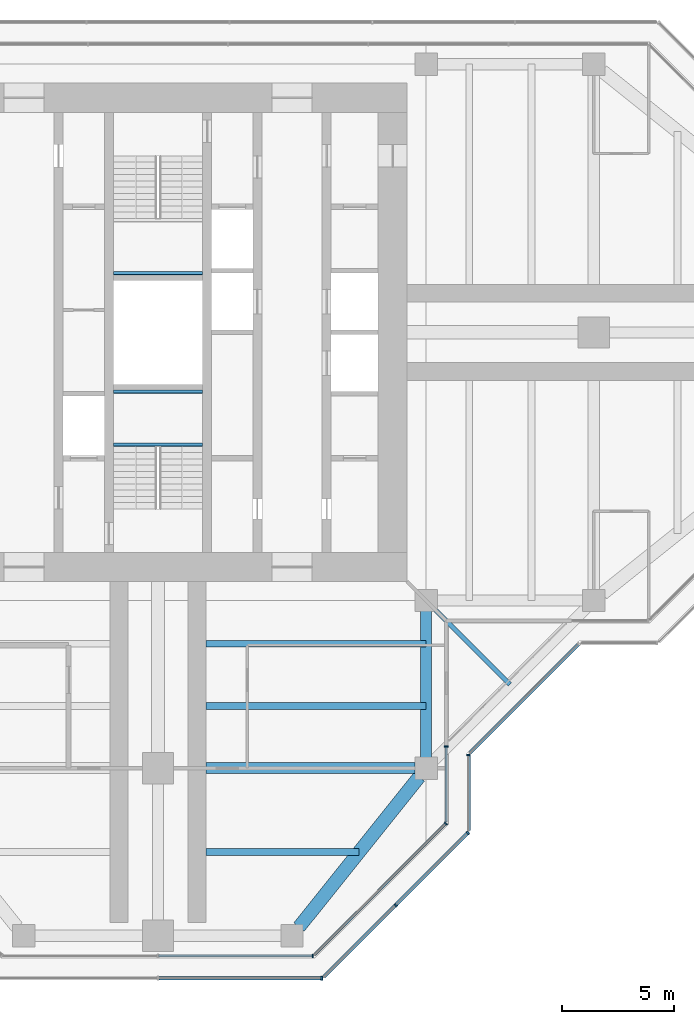
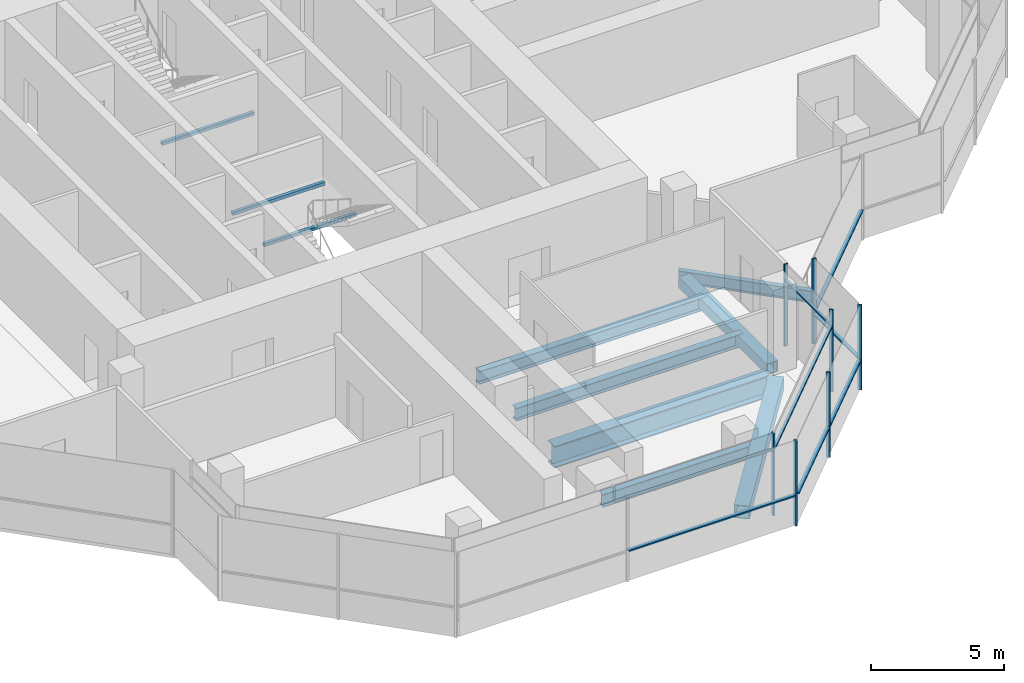
# One storey, part 4 of 15: 15 members, 10 beams, 7 elements without a shape of their own.
"""IFC4 building model written with IfcOpenShell, lengths in metres."""

from ifc_helpers import new_model, si_unit, direction, frame, origin, origin_2d, place, context, subcontext, project, spatial, rectangle, hollow_rectangle, i_section, extrude, material, material_profile, profile_set, type_object, element, aggregate, save


model = new_model("IFC4")

# Units and contexts
model_context = context("Model", 3, precision=1e-05, world=origin(), true_north=direction((0.0, 1.0)))
body_context = subcontext(model_context, "Body", "Model", "MODEL_VIEW")
ifc_project = project(units=[si_unit("LENGTHUNIT", "METRE"), si_unit("AREAUNIT", "SQUARE_METRE"), si_unit("VOLUMEUNIT", "CUBIC_METRE"), si_unit("PLANEANGLEUNIT", "RADIAN"), si_unit("MASSUNIT", "GRAM", prefix="KILO")], contexts=[model_context])

# Site, building, storey
site_placement = place(None, origin())
site = spatial("IfcSite", under=ifc_project, at=site_placement, CompositionType="ELEMENT")
building_placement = place(site_placement, origin())
building = spatial("IfcBuilding", under=site, at=building_placement, Name="Mizan Broadcast Tower", CompositionType="ELEMENT")
storey_placement = place(building_placement, frame((0.0, 0.0, 286.800048828125)))
storey = spatial("IfcBuildingStorey", under=building, at=storey_placement, Name="L68", CompositionType="ELEMENT", Elevation=286.800048828125)

# Beams
ifc_material_1 = material(Name="Steel S355", Category="steel")
ifc_material_profile_1 = material_profile(ifc_material_1, hollow_rectangle(XDim=0.5, YDim=0.5, WallThickness=0.030029296875, at=origin_2d()), Name="BOX 500x500x30")
ifc_profile_set_1 = profile_set([ifc_material_profile_1], Name="Steel S355")
beam_type_1 = type_object("IfcBeamType", Name="EDGE BEAM BOX 500x500x30", PredefinedType="SPANDREL", material=ifc_profile_set_1)
beam_1_placement = place(storey_placement, frame((12.0, -12.449951171875, -0.380126953125), z_axis=(0.0, -1.0, 0.0), x_axis=(1.0, 0.0, 0.0)))
element("IfcBeam", 1, at=beam_1_placement, inside=storey, type_object=beam_type_1, Name="Edge beam BOX 500x500x30 L68 south arm", PredefinedType="SPANDREL", context=body_context, shape_type="SweptSolid", body=[
    extrude(hollow_rectangle(XDim=0.5, YDim=0.5, WallThickness=0.030029296875, at=origin_2d()), origin(), (0.0, 0.0, 1.0), 6.60009765625),
])
ifc_material_2 = material(Name="Steel S355", Category="steel")
ifc_material_profile_2 = material_profile(ifc_material_2, hollow_rectangle(XDim=0.60009765625, YDim=0.60009765625, WallThickness=0.030029296875, at=origin_2d()), Name="BOX 600x600x30")
ifc_profile_set_2 = profile_set([ifc_material_profile_2], Name="Steel S355")
beam_type_2 = type_object("IfcBeamType", Name="EDGE BEAM BOX 600x600x30", PredefinedType="SPANDREL", material=ifc_profile_set_2)
beam_2_placement = place(storey_placement, frame((11.687744140625, -19.890380859375, -0.429931640625), z_axis=(-0.62470196761, -0.780863273348, 0.0), x_axis=(0.780863273348, -0.62470196761, 0.0)))
element("IfcBeam", 2, at=beam_2_placement, inside=storey, type_object=beam_type_2, Name="Edge beam BOX 600x600x30 L68 south arm", PredefinedType="SPANDREL", context=body_context, shape_type="SweptSolid", body=[
    extrude(hollow_rectangle(XDim=0.60009765625, YDim=0.60009765625, WallThickness=0.030029296875, at=origin_2d()), origin(), (0.0, 0.0, 1.0), 8.60498046875),
])
ifc_material_3 = material(Name="Steel S460", Category="steel")
ifc_material_profile_3 = material_profile(ifc_material_3, i_section(OverallWidth=0.5, OverallDepth=1.0, WebThickness=0.02490234375, FlangeThickness=0.050048828125, at=origin_2d()), Name="WPG 1000x500")
ifc_profile_set_3 = profile_set([ifc_material_profile_3], Name="Steel S460")
beam_type_3 = type_object("IfcBeamType", Name="GIRDER WPG 1000x500", PredefinedType="BEAM", material=ifc_profile_set_3)
beam_3_placement = place(storey_placement, frame((11.5, -19.5, -0.630126953125), z_axis=(-1.0, 0.0, 0.0), x_axis=(0.0, -1.0, 0.0)))
element("IfcBeam", 3, at=beam_3_placement, inside=storey, type_object=beam_type_3, Name="Girder WPG 1000x500 L68 south arm", PredefinedType="BEAM", context=body_context, shape_type="SweptSolid", body=[
    extrude(i_section(OverallWidth=0.5, OverallDepth=1.0, WebThickness=0.02490234375, FlangeThickness=0.050048828125, at=origin_2d()), origin(), (0.0, 0.0, 1.0), 9.35009765625),
])

# Curtain wall, member
ifc_material_4 = material(Name="Aluminium framed glazing", Category="aluminium")
curtain_wall_type_1 = type_object("IfcCurtainWallType", Name="INNER SKIN TOP ZONE", PredefinedType="USERDEFINED", material=ifc_material_4)
curtain_wall_1_placement = place(storey_placement, origin())
curtain_wall_1 = element("IfcCurtainWall", 4, at=curtain_wall_1_placement, inside=storey, type_object=curtain_wall_type_1, Name="Inner skin top zone L68 S end", ObjectType="INNER SKIN TOP ZONE", PredefinedType="USERDEFINED")
ifc_material_5 = material(Name="Aluminium, pale anodised", Category="aluminium")
ifc_material_profile_4 = material_profile(ifc_material_5, rectangle(XDim=0.159912109375, YDim=0.06005859375, at=origin_2d()), Name="MULLION 160x60")
ifc_profile_set_4 = profile_set([ifc_material_profile_4], Name="Aluminium, pale anodised")
member_type_1 = type_object("IfcMemberType", Name="INNER SKIN MULLION 60x160", PredefinedType="MULLION", material=ifc_profile_set_4)
member_1_placement = place(storey_placement, frame((6.928466796875, -27.89990234375, 0.0), z_axis=(0.0, 0.0, 1.0), x_axis=(0.0, 1.0, 0.0)))
member_1 = element("IfcMember", 5, at=member_1_placement, type_object=member_type_1, Name="Inner skin top zone L68 S end mullion 3", PredefinedType="MULLION", context=body_context, shape_type="SweptSolid", body=[
    extrude(rectangle(XDim=0.159912109375, YDim=0.06005859375, at=origin_2d()), origin(), (0.0, 0.0, 1.0), 3.77001953125),
])

curtain_wall_2_placement = place(storey_placement, origin())
curtain_wall_2 = element("IfcCurtainWall", 6, at=curtain_wall_2_placement, inside=storey, type_object=curtain_wall_type_1, Name="Inner skin top zone L68 S chamfer", ObjectType="INNER SKIN TOP ZONE", PredefinedType="USERDEFINED")
member_2_placement = place(storey_placement, frame((12.87890625, -21.979736328125, 0.0), z_axis=(0.0, 0.0, 1.0), x_axis=(-0.707106781187, 0.707106781187, 0.0)))
member_2 = element("IfcMember", 7, at=member_2_placement, type_object=member_type_1, Name="Inner skin top zone L68 S chamfer mullion 2", PredefinedType="MULLION", context=body_context, shape_type="SweptSolid", body=[
    extrude(rectangle(XDim=0.159912109375, YDim=0.06005859375, at=origin_2d()), origin(), (0.0, 0.0, 1.0), 3.77001953125),
])

curtain_wall_3_placement = place(storey_placement, origin())
curtain_wall_3 = element("IfcCurtainWall", 8, at=curtain_wall_3_placement, inside=storey, type_object=curtain_wall_type_1, Name="Inner skin top zone L68 S side", ObjectType="INNER SKIN TOP ZONE", PredefinedType="USERDEFINED")
member_3_placement = place(storey_placement, frame((12.89990234375, -18.530029296875, 0.0), z_axis=(0.0, 0.0, 1.0), x_axis=(-1.0, 0.0, 0.0)))
member_3 = element("IfcMember", 9, at=member_3_placement, type_object=member_type_1, Name="Inner skin top zone L68 S side mullion 2", PredefinedType="MULLION", context=body_context, shape_type="SweptSolid", body=[
    extrude(rectangle(XDim=0.159912109375, YDim=0.06005859375, at=origin_2d()), origin(), (0.0, 0.0, 1.0), 3.77001953125),
])

# Member
ifc_material_6 = material(Name="Aluminium, pale anodised", Category="aluminium")
ifc_material_profile_5 = material_profile(ifc_material_6, rectangle(XDim=0.1201171875, YDim=0.06005859375, at=origin_2d()), Name="TRANSOM 120x60")
ifc_profile_set_5 = profile_set([ifc_material_profile_5], Name="Aluminium, pale anodised")
member_type_2 = type_object("IfcMemberType", Name="INNER SKIN TRANSOM 60x120", PredefinedType="USERDEFINED", material=ifc_profile_set_5)
member_4_placement = place(storey_placement, frame((0.030029296875, -27.89990234375, 3.030029296875), z_axis=(1.0, 0.0, 0.0), x_axis=(0.0, 1.0, 0.0)))
member_4 = element("IfcMember", 10, at=member_4_placement, type_object=member_type_2, Name="Inner skin top zone L68 S end transom 2.1", ObjectType="TRANSOM", PredefinedType="USERDEFINED", context=body_context, shape_type="SweptSolid", body=[
    extrude(rectangle(XDim=0.1201171875, YDim=0.06005859375, at=origin_2d()), origin(), (0.0, 0.0, 1.0), 6.86865234375),
])

aggregate(curtain_wall_1, [member_1, member_4])

member_5_placement = place(storey_placement, frame((7.0009765625, -27.857666015625, 3.030029296875), z_axis=(0.707106781187, 0.707106781187, 0.0), x_axis=(-0.707106781187, 0.707106781187, 0.0)))
member_5 = element("IfcMember", 11, at=member_5_placement, type_object=member_type_2, Name="Inner skin top zone L68 S chamfer transom 1.1", ObjectType="TRANSOM", PredefinedType="USERDEFINED", context=body_context, shape_type="SweptSolid", body=[
    extrude(rectangle(XDim=0.1201171875, YDim=0.06005859375, at=origin_2d()), origin(), (0.0, 0.0, 1.0), 8.28271484375),
])

aggregate(curtain_wall_2, [member_2, member_5])

member_6_placement = place(storey_placement, frame((12.89990234375, -21.898681640625, 3.030029296875), z_axis=(0.0, 1.0, 0.0), x_axis=(-1.0, 0.0, 0.0)))
member_6 = element("IfcMember", 12, at=member_6_placement, type_object=member_type_2, Name="Inner skin top zone L68 S side transom 1.1", ObjectType="TRANSOM", PredefinedType="USERDEFINED", context=body_context, shape_type="SweptSolid", body=[
    extrude(rectangle(XDim=0.1201171875, YDim=0.06005859375, at=origin_2d()), origin(), (0.0, 0.0, 1.0), 3.338623046875),
])

aggregate(curtain_wall_3, [member_3, member_6])

# Beams
ifc_material_7 = material(Name="Steel S355", Category="steel")
ifc_material_profile_6 = material_profile(ifc_material_7, hollow_rectangle(XDim=0.14990234375, YDim=0.14990234375, WallThickness=0.008056640625, InnerFilletRadius=0.008056640625, OuterFilletRadius=0.011962890625, at=origin_2d()), Name="SHS 150x150x8")
ifc_profile_set_6 = profile_set([ifc_material_profile_6], Name="Steel S355")
beam_type_4 = type_object("IfcBeamType", Name="LANDING TRIMMER SHS 150x150x8", PredefinedType="BEAM", material=ifc_profile_set_6)
for number, where, z_axis, x_axis, name in (
    (13, (-2.0, -5.02490234375, 1.675048828125), (1.0, 0.0, 0.0), (0.0, 1.0, 0.0), "Stair A landing trimmer L68"),
    (14, (-2.0, -2.64990234375, 1.675048828125), (1.0, 0.0, 0.0), (0.0, 1.0, 0.0), "Stair A landing trimmer L68"),
    (15, (2.0, 2.64990234375, 1.675048828125), (-1.0, 0.0, 0.0), (0.0, -1.0, 0.0), "Stair B landing trimmer L68"),
):
    element("IfcBeam", number, at=place(storey_placement, frame(where, z_axis=z_axis, x_axis=x_axis)), inside=storey, type_object=beam_type_4, Name=name, PredefinedType="BEAM", context=body_context, shape_type="SweptSolid", body=[
        extrude(hollow_rectangle(XDim=0.14990234375, YDim=0.14990234375, WallThickness=0.008056640625, InnerFilletRadius=0.008056640625, OuterFilletRadius=0.011962890625, at=origin_2d()), origin(), (0.0, 0.0, 1.0), 4.0),
    ])

# Curtain wall, member
ifc_material_8 = material(Name="Aluminium framed glazing", Category="aluminium")
curtain_wall_type_2 = type_object("IfcCurtainWallType", Name="OUTER SKIN", PredefinedType="USERDEFINED", material=ifc_material_8)
curtain_wall_4_placement = place(storey_placement, origin())
curtain_wall_4 = element("IfcCurtainWall", 16, at=curtain_wall_4_placement, inside=storey, type_object=curtain_wall_type_2, Name="Outer skin L68 S end", ObjectType="OUTER SKIN", PredefinedType="USERDEFINED")
ifc_material_9 = material(Name="Aluminium, pale anodised", Category="aluminium")
ifc_material_profile_7 = material_profile(ifc_material_9, rectangle(XDim=0.159912109375, YDim=0.080078125, at=origin_2d()), Name="MULLION 160x80")
ifc_profile_set_7 = profile_set([ifc_material_profile_7], Name="Aluminium, pale anodised")
member_type_3 = type_object("IfcMemberType", Name="OUTER SKIN MULLION 80x160", PredefinedType="MULLION", material=ifc_profile_set_7)
member_7_placement = place(storey_placement, frame((7.332763671875, -28.89990234375, 0.0), z_axis=(0.0, 0.0, 1.0), x_axis=(0.0, 1.0, 0.0)))
member_7 = element("IfcMember", 17, at=member_7_placement, type_object=member_type_3, Name="Outer skin L68 S end mullion 3", PredefinedType="MULLION", context=body_context, shape_type="SweptSolid", body=[
    extrude(rectangle(XDim=0.159912109375, YDim=0.080078125, at=origin_2d()), origin(), (0.0, 0.0, 1.0), 3.89990234375),
])

# Curtain wall, members
curtain_wall_5_placement = place(storey_placement, origin())
curtain_wall_5 = element("IfcCurtainWall", 18, at=curtain_wall_5_placement, inside=storey, type_object=curtain_wall_type_2, Name="Outer skin L68 S chamfer", ObjectType="OUTER SKIN", PredefinedType="USERDEFINED")
member_8_placement = place(storey_placement, frame((10.636474609375, -25.636474609375, 0.0), z_axis=(0.0, 0.0, 1.0), x_axis=(-0.707106781187, 0.707106781187, 0.0)))
member_8 = element("IfcMember", 19, at=member_8_placement, type_object=member_type_3, Name="Outer skin L68 S chamfer mullion 2", PredefinedType="MULLION", context=body_context, shape_type="SweptSolid", body=[
    extrude(rectangle(XDim=0.159912109375, YDim=0.080078125, at=origin_2d()), origin(), (0.0, 0.0, 1.0), 3.89990234375),
])
member_9_placement = place(storey_placement, frame((13.871826171875, -22.401123046875, 0.0), z_axis=(0.0, 0.0, 1.0), x_axis=(-0.707106781187, 0.707106781187, 0.0)))
member_9 = element("IfcMember", 20, at=member_9_placement, type_object=member_type_3, Name="Outer skin L68 S chamfer mullion 3", PredefinedType="MULLION", context=body_context, shape_type="SweptSolid", body=[
    extrude(rectangle(XDim=0.159912109375, YDim=0.080078125, at=origin_2d()), origin(), (0.0, 0.0, 1.0), 3.89990234375),
])

# Curtain wall, member
curtain_wall_6_placement = place(storey_placement, origin())
curtain_wall_6 = element("IfcCurtainWall", 21, at=curtain_wall_6_placement, inside=storey, type_object=curtain_wall_type_2, Name="Outer skin L68 S side", ObjectType="OUTER SKIN", PredefinedType="USERDEFINED")
member_10_placement = place(storey_placement, frame((13.89990234375, -18.912841796875, 0.0), z_axis=(0.0, 0.0, 1.0), x_axis=(-1.0, 0.0, 0.0)))
member_10 = element("IfcMember", 22, at=member_10_placement, type_object=member_type_3, Name="Outer skin L68 S side mullion 2", PredefinedType="MULLION", context=body_context, shape_type="SweptSolid", body=[
    extrude(rectangle(XDim=0.159912109375, YDim=0.080078125, at=origin_2d()), origin(), (0.0, 0.0, 1.0), 3.89990234375),
])

# Member
ifc_material_10 = material(Name="Aluminium, pale anodised", Category="aluminium")
ifc_material_profile_8 = material_profile(ifc_material_10, rectangle(XDim=0.159912109375, YDim=0.06005859375, at=origin_2d()), Name="TRANSOM 160x60")
ifc_profile_set_8 = profile_set([ifc_material_profile_8], Name="Aluminium, pale anodised")
member_type_4 = type_object("IfcMemberType", Name="OUTER SKIN TRANSOM 60x160", PredefinedType="USERDEFINED", material=ifc_profile_set_8)
member_11_placement = place(storey_placement, frame((0.0400390625, -28.89990234375, 1.39990234375), z_axis=(1.0, 0.0, 0.0), x_axis=(0.0, 1.0, 0.0)))
member_11 = element("IfcMember", 23, at=member_11_placement, type_object=member_type_4, Name="Outer skin L68 S end transom 2.1", ObjectType="TRANSOM", PredefinedType="USERDEFINED", context=body_context, shape_type="SweptSolid", body=[
    extrude(rectangle(XDim=0.159912109375, YDim=0.06005859375, at=origin_2d()), origin(), (0.0, 0.0, 1.0), 7.252685546875),
])

aggregate(curtain_wall_4, [member_7, member_11])

member_12_placement = place(storey_placement, frame((7.429443359375, -28.843505859375, 1.39990234375), z_axis=(0.707106781187, 0.707106781187, 0.0), x_axis=(-0.707106781187, 0.707106781187, 0.0)))
member_12 = element("IfcMember", 24, at=member_12_placement, type_object=member_type_4, Name="Outer skin L68 S chamfer transom 1.1", ObjectType="TRANSOM", PredefinedType="USERDEFINED", context=body_context, shape_type="SweptSolid", body=[
    extrude(rectangle(XDim=0.159912109375, YDim=0.06005859375, at=origin_2d()), origin(), (0.0, 0.0, 1.0), 4.495361328125),
])

member_13_placement = place(storey_placement, frame((10.664794921875, -25.608154296875, 1.39990234375), z_axis=(0.707106781187, 0.707106781187, 0.0), x_axis=(-0.707106781187, 0.707106781187, 0.0)))
member_13 = element("IfcMember", 25, at=member_13_placement, type_object=member_type_4, Name="Outer skin L68 S chamfer transom 2.1", ObjectType="TRANSOM", PredefinedType="USERDEFINED", context=body_context, shape_type="SweptSolid", body=[
    extrude(rectangle(XDim=0.159912109375, YDim=0.06005859375, at=origin_2d()), origin(), (0.0, 0.0, 1.0), 4.495361328125),
])

aggregate(curtain_wall_5, [member_8, member_9, member_12, member_13])

member_14_placement = place(storey_placement, frame((13.89990234375, -22.292724609375, 1.39990234375), z_axis=(0.0, 1.0, 0.0), x_axis=(-1.0, 0.0, 0.0)))
member_14 = element("IfcMember", 26, at=member_14_placement, type_object=member_type_4, Name="Outer skin L68 S side transom 1.1", ObjectType="TRANSOM", PredefinedType="USERDEFINED", context=body_context, shape_type="SweptSolid", body=[
    extrude(rectangle(XDim=0.159912109375, YDim=0.06005859375, at=origin_2d()), origin(), (0.0, 0.0, 1.0), 3.33984375),
])

aggregate(curtain_wall_6, [member_10, member_14])

# Curtain wall, member
curtain_wall_7_placement = place(storey_placement, origin())
curtain_wall_7 = element("IfcCurtainWall", 27, at=curtain_wall_7_placement, inside=storey, type_object=curtain_wall_type_2, Name="Outer skin L68 E chamfer", ObjectType="OUTER SKIN", PredefinedType="USERDEFINED")
member_15_placement = place(storey_placement, frame((13.95654296875, -18.816162109375, 1.39990234375), z_axis=(0.707106781187, 0.707106781187, 0.0), x_axis=(-0.707106781187, 0.707106781187, 0.0)))
member_15 = element("IfcMember", 28, at=member_15_placement, type_object=member_type_4, Name="Outer skin L68 E chamfer transom 1.1", ObjectType="TRANSOM", PredefinedType="USERDEFINED", context=body_context, shape_type="SweptSolid", body=[
    extrude(rectangle(XDim=0.159912109375, YDim=0.06005859375, at=origin_2d()), origin(), (0.0, 0.0, 1.0), 6.87255859375),
])
aggregate(curtain_wall_7, [member_15])

# Beams
ifc_material_11 = material(Name="Steel S355", Category="steel")
ifc_material_profile_9 = material_profile(ifc_material_11, i_section(OverallWidth=0.300048828125, OverallDepth=0.590087890625, WebThickness=0.012939453125, FlangeThickness=0.02490234375, FilletRadius=0.027099609375, at=origin_2d()), Name="HEA 600")
ifc_profile_set_9 = profile_set([ifc_material_profile_9], Name="Steel S355")
beam_type_5 = type_object("IfcBeamType", Name="SECONDARY BEAM HEA 600", PredefinedType="JOIST", material=ifc_profile_set_9)
for number, where, z_axis, x_axis, name in (
    (29, (12.0, -13.933349609375, -0.425048828125), (-1.0, 0.0, 0.0), (0.0, -1.0, 0.0), "Secondary beam HEA 600 L68 south arm"),
    (30, (12.0, -16.716552734375, -0.425048828125), (-1.0, 0.0, 0.0), (0.0, -1.0, 0.0), "Secondary beam HEA 600 L68 south arm"),
):
    element("IfcBeam", number, at=place(storey_placement, frame(where, z_axis=z_axis, x_axis=x_axis)), inside=storey, type_object=beam_type_5, Name=name, PredefinedType="JOIST", context=body_context, shape_type="SweptSolid", body=[
        extrude(i_section(OverallWidth=0.300048828125, OverallDepth=0.590087890625, WebThickness=0.012939453125, FlangeThickness=0.02490234375, FilletRadius=0.027099609375, at=origin_2d()), origin(), (0.0, 0.0, 1.0), 9.85009765625),
    ])
beam_4_placement = place(storey_placement, frame((9.0, -23.25, -0.425048828125), z_axis=(-1.0, 0.0, 0.0), x_axis=(0.0, -1.0, 0.0)))
element("IfcBeam", 31, at=beam_4_placement, inside=storey, type_object=beam_type_5, Name="Secondary beam HEA 600 L68 south arm", PredefinedType="JOIST", context=body_context, shape_type="SweptSolid", body=[
    extrude(i_section(OverallWidth=0.300048828125, OverallDepth=0.590087890625, WebThickness=0.012939453125, FlangeThickness=0.02490234375, FilletRadius=0.027099609375, at=origin_2d()), origin(), (0.0, 0.0, 1.0), 6.85009765625),
])
ifc_material_12 = material(Name="Steel S355", Category="steel")
ifc_material_profile_10 = material_profile(ifc_material_12, i_section(OverallWidth=0.2099609375, OverallDepth=0.550048828125, WebThickness=0.010986328125, FlangeThickness=0.01708984375, FilletRadius=0.02392578125, at=origin_2d()), Name="IPE 550")
ifc_profile_set_10 = profile_set([ifc_material_profile_10], Name="Steel S355")
beam_type_6 = type_object("IfcBeamType", Name="SECONDARY BEAM IPE 550", PredefinedType="JOIST", material=ifc_profile_set_10)
beam_5_placement = place(storey_placement, frame((12.0, -12.0, -0.405029296875), z_axis=(0.707106781187, -0.707106781187, 0.0), x_axis=(0.707106781187, 0.707106781187, 0.0)))
element("IfcBeam", 32, at=beam_5_placement, inside=storey, type_object=beam_type_6, Name="Winter garden beam L68 S", PredefinedType="JOIST", context=body_context, shape_type="SweptSolid", body=[
    extrude(i_section(OverallWidth=0.2099609375, OverallDepth=0.550048828125, WebThickness=0.010986328125, FlangeThickness=0.01708984375, FilletRadius=0.02392578125, at=origin_2d()), origin(), (0.0, 0.0, 1.0), 5.30322265625),
])

save(model, "model.ifc")
